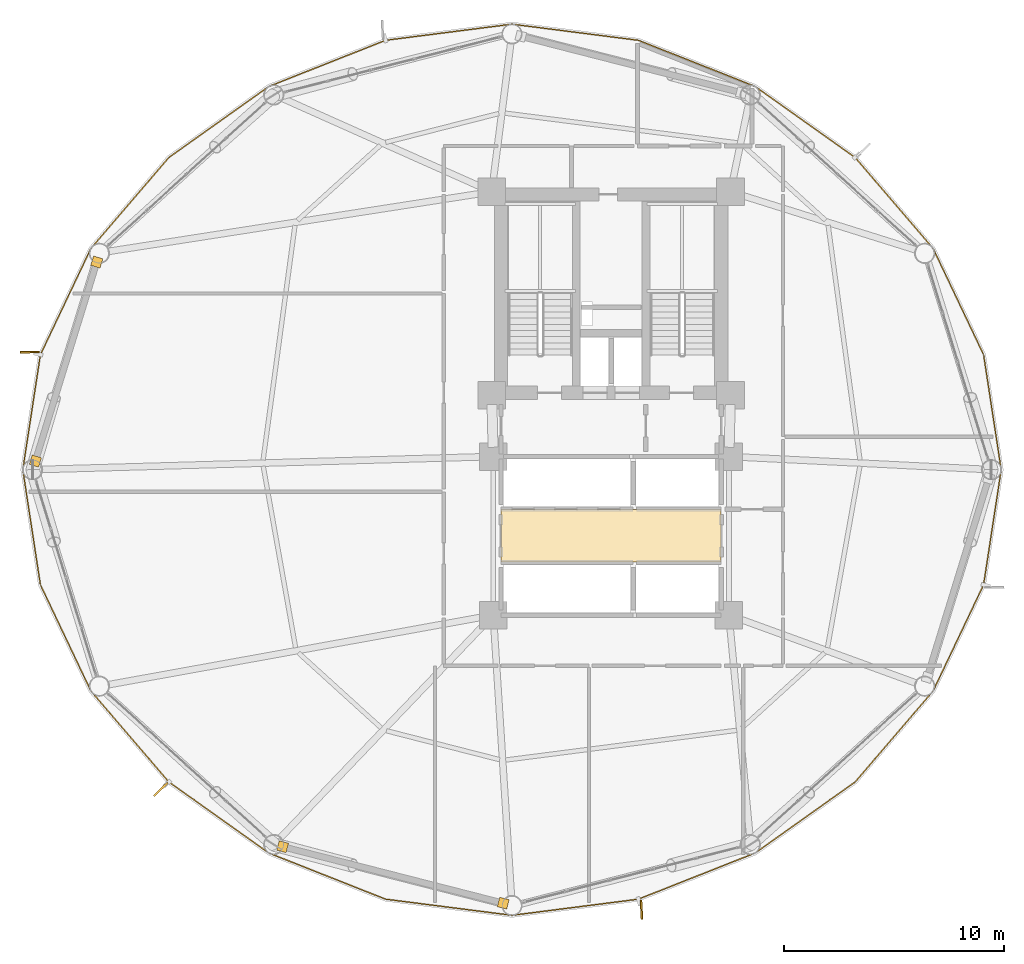
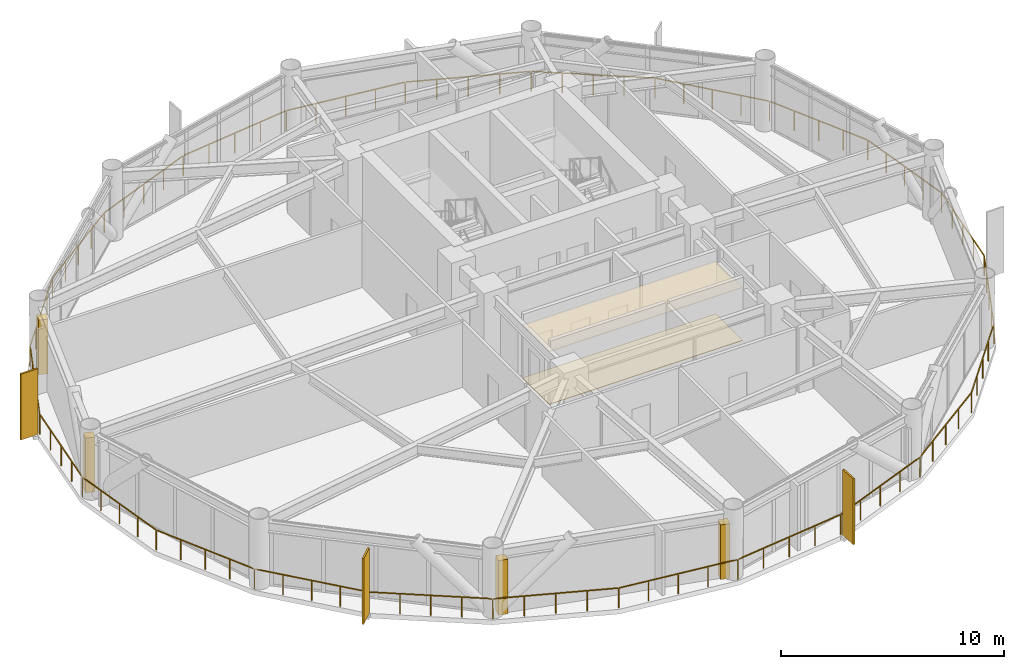
# One storey, part 23 of 25: 6 coverings, 3 shading devices, 1 railing.
"""IFC4 building model written with IfcOpenShell, lengths in metres."""

from ifc_helpers import new_model, si_unit, direction, frame, origin, origin_2d, place, context, subcontext, project, spatial, polyline, rectangle, outline, extrude, source, transform, mapped, material, layer, layer_set, type_object, type_shapes, element, save


model = new_model("IFC4")

# Units and contexts
model_context = context("Model", 3, precision=1e-05, world=origin(), true_north=direction((0.0, 1.0)))
body_context = subcontext(model_context, "Body", "Model", "MODEL_VIEW")
ifc_project = project(units=[si_unit("LENGTHUNIT", "METRE"), si_unit("AREAUNIT", "SQUARE_METRE"), si_unit("VOLUMEUNIT", "CUBIC_METRE"), si_unit("PLANEANGLEUNIT", "RADIAN"), si_unit("MASSUNIT", "GRAM", prefix="KILO")], contexts=[model_context])

# Site, building, storey
site_placement = place(None, origin())
site = spatial("IfcSite", under=ifc_project, at=site_placement, CompositionType="ELEMENT")
building_placement = place(site_placement, origin())
building = spatial("IfcBuilding", under=site, at=building_placement, Name="Varnakorn Sky Granary", CompositionType="ELEMENT")
storey_placement = place(building_placement, frame((0.0, 0.0, 74.39990234375)))
storey = spatial("IfcBuildingStorey", under=building, at=storey_placement, Name="L18", CompositionType="ELEMENT", Elevation=74.39990234375)

# Coverings
ifc_material_1 = material(Name="Perforated Acoustic Mineral-Fibre Ceiling", Category="gypsum")
ifc_layer_1 = layer(ifc_material_1, 0.02001953125, Name="Perforated Acoustic Mineral-Fibre Ceiling")
ifc_layer_set_1 = layer_set([ifc_layer_1], Name="Perforated Acoustic Mineral-Fibre Ceiling")
covering_type_1 = type_object("IfcCoveringType", Name="CV-CEIL-20", PredefinedType="CEILING", material=ifc_layer_set_1)
covering_1_placement = place(storey_placement, frame((0.0, 0.0, 2.900146484375)))
element("IfcCovering", 1, at=covering_1_placement, inside=storey, type_object=covering_type_1, Name="Lift Lobby Perforated Acoustic Ceiling L18", PredefinedType="CEILING", context=body_context, shape_type="SweptSolid", body=[
    extrude(outline(polyline([(-2.0, -4.199951171875), (8.0, -4.199951171875), (8.0, -1.800048828125), (-2.0, -1.800048828125), (-2.0, -4.199951171875)])), origin(), (0.0, 0.0, 1.0), 0.02001953125),
])
ifc_material_2 = material(Name="Honed Epoxy Terrazzo Topping", Category="concrete")
ifc_layer_2 = layer(ifc_material_2, 0.030029296875, Name="Honed Epoxy Terrazzo Topping")
ifc_layer_set_2 = layer_set([ifc_layer_2], Name="Honed Epoxy Terrazzo Topping")
covering_type_2 = type_object("IfcCoveringType", Name="CV-FLOR-30", PredefinedType="FLOORING", material=ifc_layer_set_2)
covering_2_placement = place(storey_placement, origin())
element("IfcCovering", 2, at=covering_2_placement, inside=storey, type_object=covering_type_2, Name="Lift Lobby Terrazzo Floor Finish L18", PredefinedType="FLOORING", context=body_context, shape_type="SweptSolid", body=[
    extrude(outline(polyline([(-2.0, -4.199951171875), (8.0, -4.199951171875), (8.0, -1.800048828125), (-2.0, -1.800048828125), (-2.0, -4.199951171875)])), origin(), (0.0, 0.0, 1.0), 0.030029296875),
])

# Railing
ifc_material_3 = material(Name="Anodised Bronze Aluminium Alloy 6063-T6", Category="aluminium")
railing_type = type_object("IfcRailingType", Name="RL-BAL-1120", PredefinedType="BALUSTRADE", material=ifc_material_3)
railing_placement = place(storey_placement, frame((20.710693359375, 0.0, 0.0)))
element("IfcRailing", 3, at=railing_placement, inside=storey, type_object=railing_type, Name="Perimeter Slab-Edge Safety Guard L18", PredefinedType="BALUSTRADE", context=body_context, shape_type="SweptSolid", body=[
    extrude(rectangle(XDim=0.048095703125, YDim=0.048095703125, at=origin_2d()), frame((-0.004150390625, -0.027587890625, 1.09619140625), z_axis=(-0.151296420655, -0.988488438525, 0.0), x_axis=(0.988488438525, -0.151296420655, 0.0)), (0.0, 0.0, 1.0), 5.2255859375),
    extrude(rectangle(XDim=0.048095703125, YDim=0.048095703125, at=origin_2d()), frame((-0.81103515625, -5.24609375, 1.09619140625), z_axis=(-0.429031629512, -0.903289466826, 0.0), x_axis=(0.903289466826, -0.429031629512, 0.0)), (0.0, 0.0, 1.0), 5.28271484375),
    extrude(rectangle(XDim=0.048095703125, YDim=0.048095703125, at=origin_2d()), frame((-3.10791015625, -10.064453125, 1.09619140625), z_axis=(-0.650595472797, -0.759424473385, 0.0), x_axis=(0.759424473385, -0.650595472797, 0.0)), (0.0, 0.0, 1.0), 5.384033203125),
    extrude(rectangle(XDim=0.048095703125, YDim=0.048095703125, at=origin_2d()), frame((-6.651611328125, -14.190673828125, 1.09619140625), z_axis=(-0.815149370092, -0.579250813068, 0.0), x_axis=(0.579250813068, -0.815149370092, 0.0)), (0.0, 0.0, 1.0), 5.51513671875),
    extrude(rectangle(XDim=0.048095703125, YDim=0.048095703125, at=origin_2d()), frame((-11.1962890625, -17.411865234375, 1.09619140625), z_axis=(-0.929998507848, -0.367563294414, 0.0), x_axis=(0.367563294414, -0.929998507848, 0.0)), (0.0, 0.0, 1.0), 5.6455078125),
    extrude(rectangle(XDim=0.048095703125, YDim=0.048095703125, at=origin_2d()), frame((-16.50048828125, -19.5009765625, 1.09619140625), z_axis=(-0.991941204759, -0.12669903828, 0.0), x_axis=(0.12669903828, -0.991941204759, 0.0)), (0.0, 0.0, 1.0), 5.728759765625),
    extrude(rectangle(XDim=0.048095703125, YDim=0.048095703125, at=origin_2d()), frame((-22.238525390625, -20.2265625, 1.09619140625), z_axis=(-0.991941204759, 0.12669903828, 0.0), x_axis=(-0.12669903828, -0.991941204759, 0.0)), (0.0, 0.0, 1.0), 5.728759765625),
    extrude(rectangle(XDim=0.048095703125, YDim=0.048095703125, at=origin_2d()), frame((-27.974853515625, -19.487060546875, 1.09619140625), z_axis=(-0.929998507848, 0.367563294414, 0.0), x_axis=(-0.367563294414, -0.929998507848, 0.0)), (0.0, 0.0, 1.0), 5.6455078125),
    extrude(rectangle(XDim=0.048095703125, YDim=0.048095703125, at=origin_2d()), frame((-33.27392578125, -17.385498046875, 1.09619140625), z_axis=(-0.815149370092, 0.579250813068, 0.0), x_axis=(-0.579250813068, -0.815149370092, 0.0)), (0.0, 0.0, 1.0), 5.51513671875),
    extrude(rectangle(XDim=0.048095703125, YDim=0.048095703125, at=origin_2d()), frame((-37.810791015625, -14.1533203125, 1.09619140625), z_axis=(-0.650595472797, 0.759424473385, 0.0), x_axis=(-0.759424473385, -0.650595472797, 0.0)), (0.0, 0.0, 1.0), 5.384033203125),
    extrude(rectangle(XDim=0.048095703125, YDim=0.048095703125, at=origin_2d()), frame((-41.34375, -10.017822265625, 1.09619140625), z_axis=(-0.429031629512, 0.903289466826, 0.0), x_axis=(-0.903289466826, -0.429031629512, 0.0)), (0.0, 0.0, 1.0), 5.28271484375),
    extrude(rectangle(XDim=0.048095703125, YDim=0.048095703125, at=origin_2d()), frame((-43.62646484375, -5.193115234375, 1.09619140625), z_axis=(-0.151296420655, 0.988488438525, 0.0), x_axis=(-0.988488438525, -0.151296420655, 0.0)), (0.0, 0.0, 1.0), 5.2255859375),
    extrude(rectangle(XDim=0.048095703125, YDim=0.048095703125, at=origin_2d()), frame((-44.417236328125, 0.027587890625, 1.09619140625), z_axis=(0.151296420655, 0.988488438525, 0.0), x_axis=(-0.988488438525, 0.151296420655, 0.0)), (0.0, 0.0, 1.0), 5.2255859375),
    extrude(rectangle(XDim=0.048095703125, YDim=0.048095703125, at=origin_2d()), frame((-43.6103515625, 5.24609375, 1.09619140625), z_axis=(0.429031629512, 0.903289466826, 0.0), x_axis=(-0.903289466826, 0.429031629512, 0.0)), (0.0, 0.0, 1.0), 5.28271484375),
    extrude(rectangle(XDim=0.048095703125, YDim=0.048095703125, at=origin_2d()), frame((-41.3134765625, 10.064453125, 1.09619140625), z_axis=(0.650595472797, 0.759424473385, 0.0), x_axis=(-0.759424473385, 0.650595472797, 0.0)), (0.0, 0.0, 1.0), 5.384033203125),
    extrude(rectangle(XDim=0.048095703125, YDim=0.048095703125, at=origin_2d()), frame((-37.769775390625, 14.190673828125, 1.09619140625), z_axis=(0.815149370092, 0.579250813068, 0.0), x_axis=(-0.579250813068, 0.815149370092, 0.0)), (0.0, 0.0, 1.0), 5.51513671875),
    extrude(rectangle(XDim=0.048095703125, YDim=0.048095703125, at=origin_2d()), frame((-33.22509765625, 17.411865234375, 1.09619140625), z_axis=(0.929998507848, 0.367563294414, 0.0), x_axis=(-0.367563294414, 0.929998507848, 0.0)), (0.0, 0.0, 1.0), 5.6455078125),
    extrude(rectangle(XDim=0.048095703125, YDim=0.048095703125, at=origin_2d()), frame((-27.9208984375, 19.5009765625, 1.09619140625), z_axis=(0.991941204759, 0.12669903828, 0.0), x_axis=(-0.12669903828, 0.991941204759, 0.0)), (0.0, 0.0, 1.0), 5.728759765625),
    extrude(rectangle(XDim=0.048095703125, YDim=0.048095703125, at=origin_2d()), frame((-22.182861328125, 20.2265625, 1.09619140625), z_axis=(0.991941204759, -0.12669903828, 0.0), x_axis=(0.12669903828, 0.991941204759, 0.0)), (0.0, 0.0, 1.0), 5.728759765625),
    extrude(rectangle(XDim=0.048095703125, YDim=0.048095703125, at=origin_2d()), frame((-16.446533203125, 19.487060546875, 1.09619140625), z_axis=(0.929998507848, -0.367563294414, 0.0), x_axis=(0.367563294414, 0.929998507848, 0.0)), (0.0, 0.0, 1.0), 5.6455078125),
    extrude(rectangle(XDim=0.048095703125, YDim=0.048095703125, at=origin_2d()), frame((-11.1474609375, 17.385498046875, 1.09619140625), z_axis=(0.815149370092, -0.579250813068, 0.0), x_axis=(0.579250813068, 0.815149370092, 0.0)), (0.0, 0.0, 1.0), 5.51513671875),
    extrude(rectangle(XDim=0.048095703125, YDim=0.048095703125, at=origin_2d()), frame((-6.610595703125, 14.1533203125, 1.09619140625), z_axis=(0.650595472797, -0.759424473385, 0.0), x_axis=(0.759424473385, 0.650595472797, 0.0)), (0.0, 0.0, 1.0), 5.384033203125),
    extrude(rectangle(XDim=0.048095703125, YDim=0.048095703125, at=origin_2d()), frame((-3.07763671875, 10.017822265625, 1.09619140625), z_axis=(0.429031629512, -0.903289466826, 0.0), x_axis=(0.903289466826, 0.429031629512, 0.0)), (0.0, 0.0, 1.0), 5.28271484375),
    extrude(rectangle(XDim=0.048095703125, YDim=0.048095703125, at=origin_2d()), frame((-0.794921875, 5.193115234375, 1.09619140625), z_axis=(0.151296420655, -0.988488438525, 0.0), x_axis=(0.988488438525, 0.151296420655, 0.0)), (0.0, 0.0, 1.0), 5.2255859375),
    extrude(rectangle(XDim=0.0419921875, YDim=0.0419921875, at=origin_2d()), origin(), (0.0, 0.0, 1.0), 1.068115234375),
    extrude(rectangle(XDim=0.0419921875, YDim=0.0419921875, at=origin_2d()), frame((-0.19970703125, -1.30517578125, 0.0)), (0.0, 0.0, 1.0), 1.068115234375),
    extrude(rectangle(XDim=0.0419921875, YDim=0.0419921875, at=origin_2d()), frame((-0.3994140625, -2.6103515625, 0.0)), (0.0, 0.0, 1.0), 1.068115234375),
    extrude(rectangle(XDim=0.0419921875, YDim=0.0419921875, at=origin_2d()), frame((-0.599365234375, -3.91552734375, 0.0)), (0.0, 0.0, 1.0), 1.068115234375),
    extrude(rectangle(XDim=0.0419921875, YDim=0.0419921875, at=origin_2d()), frame((-0.799072265625, -5.220703125, 0.0)), (0.0, 0.0, 1.0), 1.068115234375),
    extrude(rectangle(XDim=0.0419921875, YDim=0.0419921875, at=origin_2d()), frame((-1.37158203125, -6.42626953125, 0.0)), (0.0, 0.0, 1.0), 1.068115234375),
    extrude(rectangle(XDim=0.0419921875, YDim=0.0419921875, at=origin_2d()), frame((-1.9443359375, -7.6318359375, 0.0)), (0.0, 0.0, 1.0), 1.068115234375),
    extrude(rectangle(XDim=0.0419921875, YDim=0.0419921875, at=origin_2d()), frame((-2.51708984375, -8.837646484375, 0.0)), (0.0, 0.0, 1.0), 1.068115234375),
    extrude(rectangle(XDim=0.0419921875, YDim=0.0419921875, at=origin_2d()), frame((-3.089599609375, -10.043212890625, 0.0)), (0.0, 0.0, 1.0), 1.068115234375),
    extrude(rectangle(XDim=0.0419921875, YDim=0.0419921875, at=origin_2d()), frame((-3.974365234375, -11.076171875, 0.0)), (0.0, 0.0, 1.0), 1.068115234375),
    extrude(rectangle(XDim=0.0419921875, YDim=0.0419921875, at=origin_2d()), frame((-4.859375, -12.10888671875, 0.0)), (0.0, 0.0, 1.0), 1.068115234375),
    extrude(rectangle(XDim=0.0419921875, YDim=0.0419921875, at=origin_2d()), frame((-5.744140625, -13.1416015625, 0.0)), (0.0, 0.0, 1.0), 1.068115234375),
    extrude(rectangle(XDim=0.0419921875, YDim=0.0419921875, at=origin_2d()), frame((-6.62890625, -14.174560546875, 0.0)), (0.0, 0.0, 1.0), 1.068115234375),
    extrude(rectangle(XDim=0.0419921875, YDim=0.0419921875, at=origin_2d()), frame((-7.76416015625, -14.9814453125, 0.0)), (0.0, 0.0, 1.0), 1.068115234375),
    extrude(rectangle(XDim=0.0419921875, YDim=0.0419921875, at=origin_2d()), frame((-8.8994140625, -15.7880859375, 0.0)), (0.0, 0.0, 1.0), 1.068115234375),
    extrude(rectangle(XDim=0.0419921875, YDim=0.0419921875, at=origin_2d()), frame((-10.034912109375, -16.5947265625, 0.0)), (0.0, 0.0, 1.0), 1.068115234375),
    extrude(rectangle(XDim=0.0419921875, YDim=0.0419921875, at=origin_2d()), frame((-11.170166015625, -17.401611328125, 0.0)), (0.0, 0.0, 1.0), 1.068115234375),
    extrude(rectangle(XDim=0.0419921875, YDim=0.0419921875, at=origin_2d()), frame((-12.495849609375, -17.925537109375, 0.0)), (0.0, 0.0, 1.0), 1.068115234375),
    extrude(rectangle(XDim=0.0419921875, YDim=0.0419921875, at=origin_2d()), frame((-13.8212890625, -18.449462890625, 0.0)), (0.0, 0.0, 1.0), 1.068115234375),
    extrude(rectangle(XDim=0.0419921875, YDim=0.0419921875, at=origin_2d()), frame((-15.14697265625, -18.973388671875, 0.0)), (0.0, 0.0, 1.0), 1.068115234375),
    extrude(rectangle(XDim=0.0419921875, YDim=0.0419921875, at=origin_2d()), frame((-16.47265625, -19.497314453125, 0.0)), (0.0, 0.0, 1.0), 1.068115234375),
    extrude(rectangle(XDim=0.0419921875, YDim=0.0419921875, at=origin_2d()), frame((-17.9072265625, -19.6806640625, 0.0)), (0.0, 0.0, 1.0), 1.068115234375),
    extrude(rectangle(XDim=0.0419921875, YDim=0.0419921875, at=origin_2d()), frame((-19.341796875, -19.86376953125, 0.0)), (0.0, 0.0, 1.0), 1.068115234375),
    extrude(rectangle(XDim=0.0419921875, YDim=0.0419921875, at=origin_2d()), frame((-20.776123046875, -20.046875, 0.0)), (0.0, 0.0, 1.0), 1.068115234375),
    extrude(rectangle(XDim=0.0419921875, YDim=0.0419921875, at=origin_2d()), frame((-22.210693359375, -20.230224609375, 0.0)), (0.0, 0.0, 1.0), 1.068115234375),
    extrude(rectangle(XDim=0.0419921875, YDim=0.0419921875, at=origin_2d()), frame((-23.645263671875, -20.046875, 0.0)), (0.0, 0.0, 1.0), 1.068115234375),
    extrude(rectangle(XDim=0.0419921875, YDim=0.0419921875, at=origin_2d()), frame((-25.07958984375, -19.86376953125, 0.0)), (0.0, 0.0, 1.0), 1.068115234375),
    extrude(rectangle(XDim=0.0419921875, YDim=0.0419921875, at=origin_2d()), frame((-26.51416015625, -19.6806640625, 0.0)), (0.0, 0.0, 1.0), 1.068115234375),
    extrude(rectangle(XDim=0.0419921875, YDim=0.0419921875, at=origin_2d()), frame((-27.94873046875, -19.497314453125, 0.0)), (0.0, 0.0, 1.0), 1.068115234375),
    extrude(rectangle(XDim=0.0419921875, YDim=0.0419921875, at=origin_2d()), frame((-29.2744140625, -18.973388671875, 0.0)), (0.0, 0.0, 1.0), 1.068115234375),
    extrude(rectangle(XDim=0.0419921875, YDim=0.0419921875, at=origin_2d()), frame((-30.60009765625, -18.449462890625, 0.0)), (0.0, 0.0, 1.0), 1.068115234375),
    extrude(rectangle(XDim=0.0419921875, YDim=0.0419921875, at=origin_2d()), frame((-31.925537109375, -17.925537109375, 0.0)), (0.0, 0.0, 1.0), 1.068115234375),
    extrude(rectangle(XDim=0.0419921875, YDim=0.0419921875, at=origin_2d()), frame((-33.251220703125, -17.401611328125, 0.0)), (0.0, 0.0, 1.0), 1.068115234375),
    extrude(rectangle(XDim=0.0419921875, YDim=0.0419921875, at=origin_2d()), frame((-34.386474609375, -16.5947265625, 0.0)), (0.0, 0.0, 1.0), 1.068115234375),
    extrude(rectangle(XDim=0.0419921875, YDim=0.0419921875, at=origin_2d()), frame((-35.52197265625, -15.7880859375, 0.0)), (0.0, 0.0, 1.0), 1.068115234375),
    extrude(rectangle(XDim=0.0419921875, YDim=0.0419921875, at=origin_2d()), frame((-36.6572265625, -14.9814453125, 0.0)), (0.0, 0.0, 1.0), 1.068115234375),
    extrude(rectangle(XDim=0.0419921875, YDim=0.0419921875, at=origin_2d()), frame((-37.79248046875, -14.174560546875, 0.0)), (0.0, 0.0, 1.0), 1.068115234375),
    extrude(rectangle(XDim=0.0419921875, YDim=0.0419921875, at=origin_2d()), frame((-38.67724609375, -13.1416015625, 0.0)), (0.0, 0.0, 1.0), 1.068115234375),
    extrude(rectangle(XDim=0.0419921875, YDim=0.0419921875, at=origin_2d()), frame((-39.56201171875, -12.10888671875, 0.0)), (0.0, 0.0, 1.0), 1.068115234375),
    extrude(rectangle(XDim=0.0419921875, YDim=0.0419921875, at=origin_2d()), frame((-40.447021484375, -11.076171875, 0.0)), (0.0, 0.0, 1.0), 1.068115234375),
    extrude(rectangle(XDim=0.0419921875, YDim=0.0419921875, at=origin_2d()), frame((-41.331787109375, -10.043212890625, 0.0)), (0.0, 0.0, 1.0), 1.068115234375),
    extrude(rectangle(XDim=0.0419921875, YDim=0.0419921875, at=origin_2d()), frame((-41.904296875, -8.837646484375, 0.0)), (0.0, 0.0, 1.0), 1.068115234375),
    extrude(rectangle(XDim=0.0419921875, YDim=0.0419921875, at=origin_2d()), frame((-42.47705078125, -7.6318359375, 0.0)), (0.0, 0.0, 1.0), 1.068115234375),
    extrude(rectangle(XDim=0.0419921875, YDim=0.0419921875, at=origin_2d()), frame((-43.0498046875, -6.42626953125, 0.0)), (0.0, 0.0, 1.0), 1.068115234375),
    extrude(rectangle(XDim=0.0419921875, YDim=0.0419921875, at=origin_2d()), frame((-43.622314453125, -5.220703125, 0.0)), (0.0, 0.0, 1.0), 1.068115234375),
    extrude(rectangle(XDim=0.0419921875, YDim=0.0419921875, at=origin_2d()), frame((-43.822021484375, -3.91552734375, 0.0)), (0.0, 0.0, 1.0), 1.068115234375),
    extrude(rectangle(XDim=0.0419921875, YDim=0.0419921875, at=origin_2d()), frame((-44.02197265625, -2.6103515625, 0.0)), (0.0, 0.0, 1.0), 1.068115234375),
    extrude(rectangle(XDim=0.0419921875, YDim=0.0419921875, at=origin_2d()), frame((-44.2216796875, -1.30517578125, 0.0)), (0.0, 0.0, 1.0), 1.068115234375),
    extrude(rectangle(XDim=0.0419921875, YDim=0.0419921875, at=origin_2d()), frame((-44.42138671875, 0.0, 0.0)), (0.0, 0.0, 1.0), 1.068115234375),
    extrude(rectangle(XDim=0.0419921875, YDim=0.0419921875, at=origin_2d()), frame((-44.2216796875, 1.30517578125, 0.0)), (0.0, 0.0, 1.0), 1.068115234375),
    extrude(rectangle(XDim=0.0419921875, YDim=0.0419921875, at=origin_2d()), frame((-44.02197265625, 2.6103515625, 0.0)), (0.0, 0.0, 1.0), 1.068115234375),
    extrude(rectangle(XDim=0.0419921875, YDim=0.0419921875, at=origin_2d()), frame((-43.822021484375, 3.91552734375, 0.0)), (0.0, 0.0, 1.0), 1.068115234375),
    extrude(rectangle(XDim=0.0419921875, YDim=0.0419921875, at=origin_2d()), frame((-43.622314453125, 5.220703125, 0.0)), (0.0, 0.0, 1.0), 1.068115234375),
    extrude(rectangle(XDim=0.0419921875, YDim=0.0419921875, at=origin_2d()), frame((-43.0498046875, 6.42626953125, 0.0)), (0.0, 0.0, 1.0), 1.068115234375),
    extrude(rectangle(XDim=0.0419921875, YDim=0.0419921875, at=origin_2d()), frame((-42.47705078125, 7.6318359375, 0.0)), (0.0, 0.0, 1.0), 1.068115234375),
    extrude(rectangle(XDim=0.0419921875, YDim=0.0419921875, at=origin_2d()), frame((-41.904296875, 8.837646484375, 0.0)), (0.0, 0.0, 1.0), 1.068115234375),
    extrude(rectangle(XDim=0.0419921875, YDim=0.0419921875, at=origin_2d()), frame((-41.331787109375, 10.043212890625, 0.0)), (0.0, 0.0, 1.0), 1.068115234375),
    extrude(rectangle(XDim=0.0419921875, YDim=0.0419921875, at=origin_2d()), frame((-40.447021484375, 11.076171875, 0.0)), (0.0, 0.0, 1.0), 1.068115234375),
    extrude(rectangle(XDim=0.0419921875, YDim=0.0419921875, at=origin_2d()), frame((-39.56201171875, 12.10888671875, 0.0)), (0.0, 0.0, 1.0), 1.068115234375),
    extrude(rectangle(XDim=0.0419921875, YDim=0.0419921875, at=origin_2d()), frame((-38.67724609375, 13.1416015625, 0.0)), (0.0, 0.0, 1.0), 1.068115234375),
    extrude(rectangle(XDim=0.0419921875, YDim=0.0419921875, at=origin_2d()), frame((-37.79248046875, 14.174560546875, 0.0)), (0.0, 0.0, 1.0), 1.068115234375),
    extrude(rectangle(XDim=0.0419921875, YDim=0.0419921875, at=origin_2d()), frame((-36.6572265625, 14.9814453125, 0.0)), (0.0, 0.0, 1.0), 1.068115234375),
    extrude(rectangle(XDim=0.0419921875, YDim=0.0419921875, at=origin_2d()), frame((-35.52197265625, 15.7880859375, 0.0)), (0.0, 0.0, 1.0), 1.068115234375),
    extrude(rectangle(XDim=0.0419921875, YDim=0.0419921875, at=origin_2d()), frame((-34.386474609375, 16.5947265625, 0.0)), (0.0, 0.0, 1.0), 1.068115234375),
    extrude(rectangle(XDim=0.0419921875, YDim=0.0419921875, at=origin_2d()), frame((-33.251220703125, 17.401611328125, 0.0)), (0.0, 0.0, 1.0), 1.068115234375),
    extrude(rectangle(XDim=0.0419921875, YDim=0.0419921875, at=origin_2d()), frame((-31.925537109375, 17.925537109375, 0.0)), (0.0, 0.0, 1.0), 1.068115234375),
    extrude(rectangle(XDim=0.0419921875, YDim=0.0419921875, at=origin_2d()), frame((-30.60009765625, 18.449462890625, 0.0)), (0.0, 0.0, 1.0), 1.068115234375),
    extrude(rectangle(XDim=0.0419921875, YDim=0.0419921875, at=origin_2d()), frame((-29.2744140625, 18.973388671875, 0.0)), (0.0, 0.0, 1.0), 1.068115234375),
    extrude(rectangle(XDim=0.0419921875, YDim=0.0419921875, at=origin_2d()), frame((-27.94873046875, 19.497314453125, 0.0)), (0.0, 0.0, 1.0), 1.068115234375),
    extrude(rectangle(XDim=0.0419921875, YDim=0.0419921875, at=origin_2d()), frame((-26.51416015625, 19.6806640625, 0.0)), (0.0, 0.0, 1.0), 1.068115234375),
    extrude(rectangle(XDim=0.0419921875, YDim=0.0419921875, at=origin_2d()), frame((-25.07958984375, 19.86376953125, 0.0)), (0.0, 0.0, 1.0), 1.068115234375),
    extrude(rectangle(XDim=0.0419921875, YDim=0.0419921875, at=origin_2d()), frame((-23.645263671875, 20.046875, 0.0)), (0.0, 0.0, 1.0), 1.068115234375),
    extrude(rectangle(XDim=0.0419921875, YDim=0.0419921875, at=origin_2d()), frame((-22.210693359375, 20.230224609375, 0.0)), (0.0, 0.0, 1.0), 1.068115234375),
    extrude(rectangle(XDim=0.0419921875, YDim=0.0419921875, at=origin_2d()), frame((-20.776123046875, 20.046875, 0.0)), (0.0, 0.0, 1.0), 1.068115234375),
    extrude(rectangle(XDim=0.0419921875, YDim=0.0419921875, at=origin_2d()), frame((-19.341796875, 19.86376953125, 0.0)), (0.0, 0.0, 1.0), 1.068115234375),
    extrude(rectangle(XDim=0.0419921875, YDim=0.0419921875, at=origin_2d()), frame((-17.9072265625, 19.6806640625, 0.0)), (0.0, 0.0, 1.0), 1.068115234375),
    extrude(rectangle(XDim=0.0419921875, YDim=0.0419921875, at=origin_2d()), frame((-16.47265625, 19.497314453125, 0.0)), (0.0, 0.0, 1.0), 1.068115234375),
    extrude(rectangle(XDim=0.0419921875, YDim=0.0419921875, at=origin_2d()), frame((-15.14697265625, 18.973388671875, 0.0)), (0.0, 0.0, 1.0), 1.068115234375),
    extrude(rectangle(XDim=0.0419921875, YDim=0.0419921875, at=origin_2d()), frame((-13.8212890625, 18.449462890625, 0.0)), (0.0, 0.0, 1.0), 1.068115234375),
    extrude(rectangle(XDim=0.0419921875, YDim=0.0419921875, at=origin_2d()), frame((-12.495849609375, 17.925537109375, 0.0)), (0.0, 0.0, 1.0), 1.068115234375),
    extrude(rectangle(XDim=0.0419921875, YDim=0.0419921875, at=origin_2d()), frame((-11.170166015625, 17.401611328125, 0.0)), (0.0, 0.0, 1.0), 1.068115234375),
    extrude(rectangle(XDim=0.0419921875, YDim=0.0419921875, at=origin_2d()), frame((-10.034912109375, 16.5947265625, 0.0)), (0.0, 0.0, 1.0), 1.068115234375),
    extrude(rectangle(XDim=0.0419921875, YDim=0.0419921875, at=origin_2d()), frame((-8.8994140625, 15.7880859375, 0.0)), (0.0, 0.0, 1.0), 1.068115234375),
    extrude(rectangle(XDim=0.0419921875, YDim=0.0419921875, at=origin_2d()), frame((-7.76416015625, 14.9814453125, 0.0)), (0.0, 0.0, 1.0), 1.068115234375),
    extrude(rectangle(XDim=0.0419921875, YDim=0.0419921875, at=origin_2d()), frame((-6.62890625, 14.174560546875, 0.0)), (0.0, 0.0, 1.0), 1.068115234375),
    extrude(rectangle(XDim=0.0419921875, YDim=0.0419921875, at=origin_2d()), frame((-5.744140625, 13.1416015625, 0.0)), (0.0, 0.0, 1.0), 1.068115234375),
    extrude(rectangle(XDim=0.0419921875, YDim=0.0419921875, at=origin_2d()), frame((-4.859375, 12.10888671875, 0.0)), (0.0, 0.0, 1.0), 1.068115234375),
    extrude(rectangle(XDim=0.0419921875, YDim=0.0419921875, at=origin_2d()), frame((-3.974365234375, 11.076171875, 0.0)), (0.0, 0.0, 1.0), 1.068115234375),
    extrude(rectangle(XDim=0.0419921875, YDim=0.0419921875, at=origin_2d()), frame((-3.089599609375, 10.043212890625, 0.0)), (0.0, 0.0, 1.0), 1.068115234375),
    extrude(rectangle(XDim=0.0419921875, YDim=0.0419921875, at=origin_2d()), frame((-2.51708984375, 8.837646484375, 0.0)), (0.0, 0.0, 1.0), 1.068115234375),
    extrude(rectangle(XDim=0.0419921875, YDim=0.0419921875, at=origin_2d()), frame((-1.9443359375, 7.6318359375, 0.0)), (0.0, 0.0, 1.0), 1.068115234375),
    extrude(rectangle(XDim=0.0419921875, YDim=0.0419921875, at=origin_2d()), frame((-1.37158203125, 6.42626953125, 0.0)), (0.0, 0.0, 1.0), 1.068115234375),
    extrude(rectangle(XDim=0.0419921875, YDim=0.0419921875, at=origin_2d()), frame((-0.799072265625, 5.220703125, 0.0)), (0.0, 0.0, 1.0), 1.068115234375),
    extrude(rectangle(XDim=0.0419921875, YDim=0.0419921875, at=origin_2d()), frame((-0.599365234375, 3.91552734375, 0.0)), (0.0, 0.0, 1.0), 1.068115234375),
    extrude(rectangle(XDim=0.0419921875, YDim=0.0419921875, at=origin_2d()), frame((-0.3994140625, 2.6103515625, 0.0)), (0.0, 0.0, 1.0), 1.068115234375),
    extrude(rectangle(XDim=0.0419921875, YDim=0.0419921875, at=origin_2d()), frame((-0.19970703125, 1.30517578125, 0.0)), (0.0, 0.0, 1.0), 1.068115234375),
])

# Shading devices
shading_device_type = type_object("IfcShadingDeviceType", Name="SH-FIN-01", PredefinedType="USERDEFINED", material=ifc_material_3)
shared_shape_1 = source(origin(), body_context, "Body", "SweptSolid", [
    extrude(rectangle(XDim=0.0849609375, YDim=0.8798828125, at=origin_2d()), origin(), (0.0, 0.0, 1.0), 3.60009765625),
])
type_shapes(shading_device_type, [shared_shape_1])
for number, where, z_axis, x_axis, name in (
    (4, (-23.397705078125, 5.342529296875, -0.0400390625), (0.0, 0.0, 1.0), (0.008570840272, -0.999963269674, 0.0), "Bronze Solar-Tracking Vertical Blade FIN L18-06"),
    (5, (-17.449462890625, -14.51416015625, -0.0400390625), (0.0, 0.0, 1.0), (0.692229147327, -0.721677772687, 0.0), "Bronze Solar-Tracking Vertical Blade FIN L18-08"),
    (6, (4.37890625, -19.977783203125, -0.0400390625), (0.0, 0.0, 1.0), (0.998676684787, 0.051428389654, 0.0), "Bronze Solar-Tracking Vertical Blade FIN L18-10"),
):
    element("IfcShadingDevice", number, at=place(storey_placement, frame(where, z_axis=z_axis, x_axis=x_axis)), inside=storey, type_object=shading_device_type, Name=name, ObjectType="FIN", PredefinedType="USERDEFINED", context=body_context, shape_type="MappedRepresentation", body=[
        mapped(shared_shape_1, transform((0.0, 0.0, 0.0), x_axis=(1.0, 0.0, 0.0), y_axis=(0.0, 1.0, 0.0), z_axis=(0.0, 0.0, 1.0), scale=1.0)),
    ])

# Coverings
ifc_layer_3 = layer(ifc_material_3, 0.050048828125, Name="Anodised Bronze Aluminium Alloy 6063-T6")
ifc_layer_set_3 = layer_set([ifc_layer_3], Name="Anodised Bronze Aluminium Alloy 6063-T6")
covering_type_3 = type_object("IfcCoveringType", Name="CV-CLAD-50", PredefinedType="CLADDING", material=ifc_layer_set_3)
shared_shape_2 = source(origin(), body_context, "Body", "SweptSolid", [
    extrude(rectangle(XDim=0.43994140625, YDim=0.43994140625, at=origin_2d()), origin(), (0.0, 0.0, 1.0), 2.989990234375),
])
type_shapes(covering_type_3, [shared_shape_2])
for number, where, z_axis, x_axis, name in (
    (7, (-23.140380859375, 0.393798828125, -0.02001953125), (0.0, 0.0, 1.0), (0.295041067928, 0.955484572474, 0.0), "Bronze Corner Pilaster Closure L18-P06-A"),
    (8, (-20.35107421875, 9.42919921875, -0.02001953125), (0.0, 0.0, 1.0), (0.295041067928, 0.955484572474, 0.0), "Bronze Corner Pilaster Closure L18-P06-B"),
    (9, (-1.899169921875, -19.678955078125, -0.02001953125), (0.0, 0.0, 1.0), (-0.968799815159, 0.247844544316, 0.0), "Bronze Corner Pilaster Closure L18-P09-A"),
    (10, (-11.914306640625, -17.115966796875, -0.02001953125), (0.0, 0.0, 1.0), (-0.968799815159, 0.247844544316, 0.0), "Bronze Corner Pilaster Closure L18-P09-B"),
):
    element("IfcCovering", number, at=place(storey_placement, frame(where, z_axis=z_axis, x_axis=x_axis)), inside=storey, type_object=covering_type_3, Name=name, PredefinedType="CLADDING", context=body_context, shape_type="MappedRepresentation", body=[
        mapped(shared_shape_2, transform((0.0, 0.0, 0.0), x_axis=(1.0, 0.0, 0.0), y_axis=(0.0, 1.0, 0.0), z_axis=(0.0, 0.0, 1.0), scale=1.0)),
    ])

save(model, "model.ifc")
